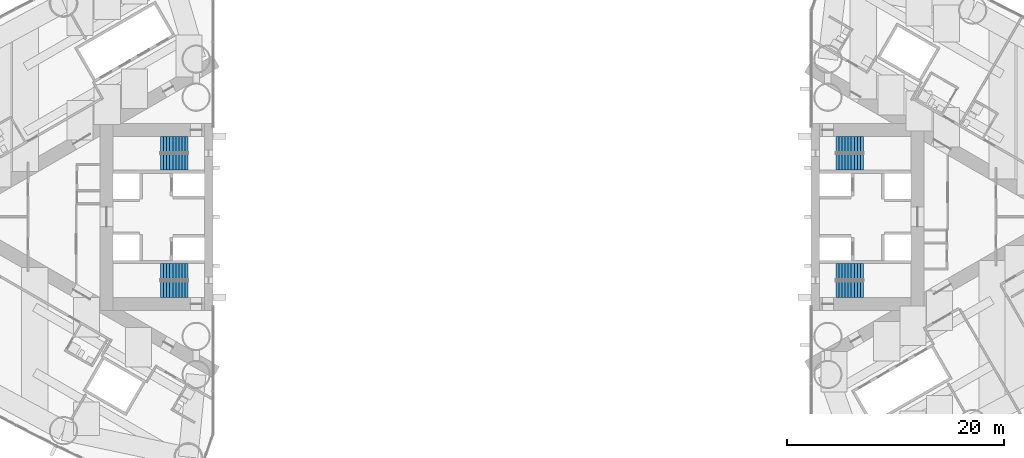
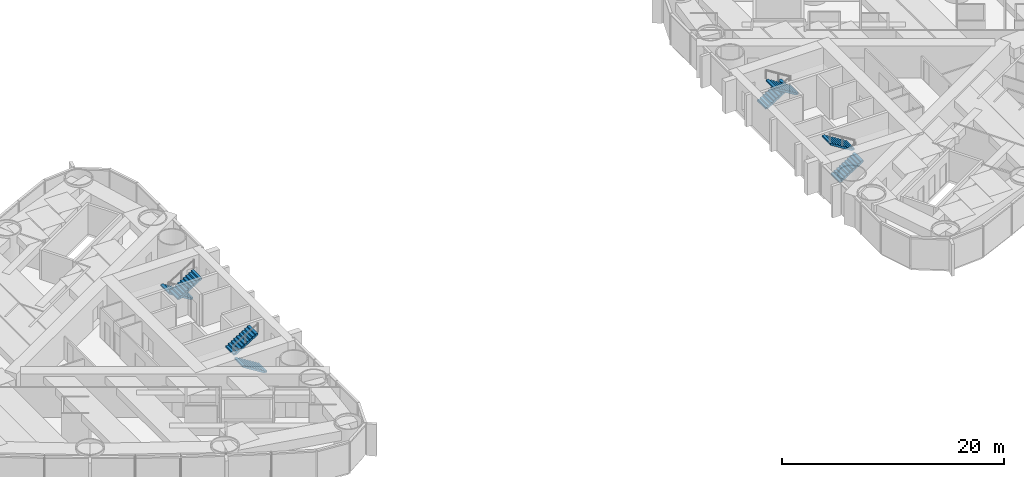
# One storey, part 16 of 18: 8 stair flights, 4 elements without a shape of their own.
"""IFC4 building model written with IfcOpenShell, lengths in metres."""

from ifc_helpers import new_model, si_unit, direction, frame, origin, place, context, subcontext, project, spatial, polyline, outline, extrude, material, type_object, element, aggregate, save


model = new_model("IFC4")

# Units and contexts
model_context = context("Model", 3, precision=1e-05, world=origin(), true_north=direction((0.0, 1.0)))
body_context = subcontext(model_context, "Body", "Model", "MODEL_VIEW")
ifc_project = project(units=[si_unit("LENGTHUNIT", "METRE"), si_unit("AREAUNIT", "SQUARE_METRE"), si_unit("VOLUMEUNIT", "CUBIC_METRE"), si_unit("PLANEANGLEUNIT", "RADIAN"), si_unit("MASSUNIT", "GRAM", prefix="KILO")], contexts=[model_context])

# Site, building, storey
site_placement = place(None, origin())
site = spatial("IfcSite", under=ifc_project, at=site_placement, CompositionType="ELEMENT")
building_placement = place(site_placement, origin())
building = spatial("IfcBuilding", under=site, at=building_placement, Name="Lancet Gate Hotel", CompositionType="ELEMENT")
storey_placement = place(building_placement, frame((0.0, 0.0, 129.10009765625)))
storey = spatial("IfcBuildingStorey", under=building, at=storey_placement, Name="L34", CompositionType="ELEMENT", Elevation=129.10009765625)

# Stair, stair flights
ifc_material_1 = material(Name="Exit stair 20 risers 1500")
stair_type = type_object("IfcStairType", Name="Exit stair 20 risers 1500", PredefinedType="HALF_TURN_STAIR", material=ifc_material_1)
stair_1_placement = place(storey_placement, origin())
stair_1 = element("IfcStair", 1, at=stair_1_placement, inside=storey, type_object=stair_type, Name="T1 stair 1 L34", PredefinedType="HALF_TURN_STAIR")
ifc_material_2 = material(Name="Stair flight 10 risers 175 rise 1500")
stair_flight_type = type_object("IfcStairFlightType", Name="Stair flight 10 risers 175 rise 1500", PredefinedType="STRAIGHT", material=ifc_material_2)
stair_flight_1_placement = place(storey_placement, frame((-29.800048828125, 6.64990234375, 0.0), z_axis=(0.0, 0.0, 1.0), x_axis=(-1.0, 0.0, 0.0)))
stair_flight_1 = element("IfcStairFlight", 2, at=stair_flight_1_placement, type_object=stair_flight_type, Name="ST1 flight 1", NumberOfRisers=10, NumberOfTreads=9, PredefinedType="STRAIGHT", RiserHeight=0.175, TreadLength=0.28, context=body_context, shape_type="SweptSolid", body=[
    extrude(outline(polyline([(0.0, 0.0), (0.0, 0.175048828125), (0.280029296875, 0.175048828125), (0.280029296875, 0.35009765625), (0.56005859375, 0.35009765625), (0.56005859375, 0.52490234375), (0.840087890625, 0.52490234375), (0.840087890625, 0.699951171875), (1.1201171875, 0.699951171875), (1.1201171875, 0.875), (1.39990234375, 0.875), (1.39990234375, 1.050048828125), (1.679931640625, 1.050048828125), (1.679931640625, 1.22509765625), (1.9599609375, 1.22509765625), (1.9599609375, 1.39990234375), (2.239990234375, 1.39990234375), (2.239990234375, 1.574951171875), (2.52001953125, 1.574951171875), (2.52001953125, 1.75), (2.52001953125, 1.398193359375), (0.28271484375, 0.0), (0.0, 0.0)])), frame((0.0, 0.75, 0.0), z_axis=(0.0, -1.0, 0.0), x_axis=(1.0, 0.0, 0.0)), (0.0, 0.0, 1.0), 1.5),
])
stair_flight_2_placement = place(storey_placement, frame((-32.320068359375, 5.050048828125, 1.75), z_axis=(0.0, 0.0, 1.0), x_axis=(1.0, 0.0, 0.0)))
stair_flight_2 = element("IfcStairFlight", 3, at=stair_flight_2_placement, type_object=stair_flight_type, Name="ST1 flight 2", NumberOfRisers=10, NumberOfTreads=9, PredefinedType="STRAIGHT", RiserHeight=0.175, TreadLength=0.28, context=body_context, shape_type="SweptSolid", body=[
    extrude(outline(polyline([(0.0, 0.0), (0.0, 0.175048828125), (0.280029296875, 0.175048828125), (0.280029296875, 0.35009765625), (0.56005859375, 0.35009765625), (0.56005859375, 0.52490234375), (0.840087890625, 0.52490234375), (0.840087890625, 0.699951171875), (1.1201171875, 0.699951171875), (1.1201171875, 0.875), (1.39990234375, 0.875), (1.39990234375, 1.050048828125), (1.679931640625, 1.050048828125), (1.679931640625, 1.22509765625), (1.9599609375, 1.22509765625), (1.9599609375, 1.39990234375), (2.239990234375, 1.39990234375), (2.239990234375, 1.574951171875), (2.52001953125, 1.574951171875), (2.52001953125, 1.75), (2.52001953125, 1.398193359375), (0.28271484375, 0.0), (0.0, 0.0)])), frame((0.0, 0.75, 0.0), z_axis=(0.0, -1.0, 0.0), x_axis=(1.0, 0.0, 0.0)), (0.0, 0.0, 1.0), 1.5),
])
aggregate(stair_1, [stair_flight_1, stair_flight_2])

stair_2_placement = place(storey_placement, origin())
stair_2 = element("IfcStair", 4, at=stair_2_placement, inside=storey, type_object=stair_type, Name="T1 stair 2 L34", PredefinedType="HALF_TURN_STAIR")
stair_flight_3_placement = place(storey_placement, frame((-29.800048828125, -6.64990234375, 0.0), z_axis=(0.0, 0.0, 1.0), x_axis=(-1.0, 0.0, 0.0)))
stair_flight_3 = element("IfcStairFlight", 5, at=stair_flight_3_placement, type_object=stair_flight_type, Name="ST2 flight 1", NumberOfRisers=10, NumberOfTreads=9, PredefinedType="STRAIGHT", RiserHeight=0.175, TreadLength=0.28, context=body_context, shape_type="SweptSolid", body=[
    extrude(outline(polyline([(0.0, 0.0), (0.0, 0.175048828125), (0.280029296875, 0.175048828125), (0.280029296875, 0.35009765625), (0.56005859375, 0.35009765625), (0.56005859375, 0.52490234375), (0.840087890625, 0.52490234375), (0.840087890625, 0.699951171875), (1.1201171875, 0.699951171875), (1.1201171875, 0.875), (1.39990234375, 0.875), (1.39990234375, 1.050048828125), (1.679931640625, 1.050048828125), (1.679931640625, 1.22509765625), (1.9599609375, 1.22509765625), (1.9599609375, 1.39990234375), (2.239990234375, 1.39990234375), (2.239990234375, 1.574951171875), (2.52001953125, 1.574951171875), (2.52001953125, 1.75), (2.52001953125, 1.398193359375), (0.28271484375, 0.0), (0.0, 0.0)])), frame((0.0, 0.75, 0.0), z_axis=(0.0, -1.0, 0.0), x_axis=(1.0, 0.0, 0.0)), (0.0, 0.0, 1.0), 1.5),
])
stair_flight_4_placement = place(storey_placement, frame((-32.320068359375, -5.050048828125, 1.75), z_axis=(0.0, 0.0, 1.0), x_axis=(1.0, 0.0, 0.0)))
stair_flight_4 = element("IfcStairFlight", 6, at=stair_flight_4_placement, type_object=stair_flight_type, Name="ST2 flight 2", NumberOfRisers=10, NumberOfTreads=9, PredefinedType="STRAIGHT", RiserHeight=0.175, TreadLength=0.28, context=body_context, shape_type="SweptSolid", body=[
    extrude(outline(polyline([(0.0, 0.0), (0.0, 0.175048828125), (0.280029296875, 0.175048828125), (0.280029296875, 0.35009765625), (0.56005859375, 0.35009765625), (0.56005859375, 0.52490234375), (0.840087890625, 0.52490234375), (0.840087890625, 0.699951171875), (1.1201171875, 0.699951171875), (1.1201171875, 0.875), (1.39990234375, 0.875), (1.39990234375, 1.050048828125), (1.679931640625, 1.050048828125), (1.679931640625, 1.22509765625), (1.9599609375, 1.22509765625), (1.9599609375, 1.39990234375), (2.239990234375, 1.39990234375), (2.239990234375, 1.574951171875), (2.52001953125, 1.574951171875), (2.52001953125, 1.75), (2.52001953125, 1.398193359375), (0.28271484375, 0.0), (0.0, 0.0)])), frame((0.0, 0.75, 0.0), z_axis=(0.0, -1.0, 0.0), x_axis=(1.0, 0.0, 0.0)), (0.0, 0.0, 1.0), 1.5),
])
aggregate(stair_2, [stair_flight_3, stair_flight_4])

stair_3_placement = place(storey_placement, origin())
stair_3 = element("IfcStair", 7, at=stair_3_placement, inside=storey, type_object=stair_type, Name="T2 stair 1 L34", PredefinedType="HALF_TURN_STAIR")
stair_flight_5_placement = place(storey_placement, frame((29.800048828125, -6.64990234375, 0.0), z_axis=(0.0, 0.0, 1.0), x_axis=(1.0, 0.0, 0.0)))
stair_flight_5 = element("IfcStairFlight", 8, at=stair_flight_5_placement, type_object=stair_flight_type, Name="ST3 flight 1", NumberOfRisers=10, NumberOfTreads=9, PredefinedType="STRAIGHT", RiserHeight=0.175, TreadLength=0.28, context=body_context, shape_type="SweptSolid", body=[
    extrude(outline(polyline([(0.0, 0.0), (0.0, 0.175048828125), (0.280029296875, 0.175048828125), (0.280029296875, 0.35009765625), (0.56005859375, 0.35009765625), (0.56005859375, 0.52490234375), (0.840087890625, 0.52490234375), (0.840087890625, 0.699951171875), (1.1201171875, 0.699951171875), (1.1201171875, 0.875), (1.39990234375, 0.875), (1.39990234375, 1.050048828125), (1.679931640625, 1.050048828125), (1.679931640625, 1.22509765625), (1.9599609375, 1.22509765625), (1.9599609375, 1.39990234375), (2.239990234375, 1.39990234375), (2.239990234375, 1.574951171875), (2.52001953125, 1.574951171875), (2.52001953125, 1.75), (2.52001953125, 1.398193359375), (0.28271484375, 0.0), (0.0, 0.0)])), frame((0.0, 0.75, 0.0), z_axis=(0.0, -1.0, 0.0), x_axis=(1.0, 0.0, 0.0)), (0.0, 0.0, 1.0), 1.5),
])
stair_flight_6_placement = place(storey_placement, frame((32.320068359375, -5.050048828125, 1.75), z_axis=(0.0, 0.0, 1.0), x_axis=(-1.0, 0.0, 0.0)))
stair_flight_6 = element("IfcStairFlight", 9, at=stair_flight_6_placement, type_object=stair_flight_type, Name="ST3 flight 2", NumberOfRisers=10, NumberOfTreads=9, PredefinedType="STRAIGHT", RiserHeight=0.175, TreadLength=0.28, context=body_context, shape_type="SweptSolid", body=[
    extrude(outline(polyline([(0.0, 0.0), (0.0, 0.175048828125), (0.280029296875, 0.175048828125), (0.280029296875, 0.35009765625), (0.56005859375, 0.35009765625), (0.56005859375, 0.52490234375), (0.840087890625, 0.52490234375), (0.840087890625, 0.699951171875), (1.1201171875, 0.699951171875), (1.1201171875, 0.875), (1.39990234375, 0.875), (1.39990234375, 1.050048828125), (1.679931640625, 1.050048828125), (1.679931640625, 1.22509765625), (1.9599609375, 1.22509765625), (1.9599609375, 1.39990234375), (2.239990234375, 1.39990234375), (2.239990234375, 1.574951171875), (2.52001953125, 1.574951171875), (2.52001953125, 1.75), (2.52001953125, 1.398193359375), (0.28271484375, 0.0), (0.0, 0.0)])), frame((0.0, 0.75, 0.0), z_axis=(0.0, -1.0, 0.0), x_axis=(1.0, 0.0, 0.0)), (0.0, 0.0, 1.0), 1.5),
])
aggregate(stair_3, [stair_flight_5, stair_flight_6])

stair_4_placement = place(storey_placement, origin())
stair_4 = element("IfcStair", 10, at=stair_4_placement, inside=storey, type_object=stair_type, Name="T2 stair 2 L34", PredefinedType="HALF_TURN_STAIR")
stair_flight_7_placement = place(storey_placement, frame((29.800048828125, 6.64990234375, 0.0), z_axis=(0.0, 0.0, 1.0), x_axis=(1.0, 0.0, 0.0)))
stair_flight_7 = element("IfcStairFlight", 11, at=stair_flight_7_placement, type_object=stair_flight_type, Name="ST4 flight 1", NumberOfRisers=10, NumberOfTreads=9, PredefinedType="STRAIGHT", RiserHeight=0.175, TreadLength=0.28, context=body_context, shape_type="SweptSolid", body=[
    extrude(outline(polyline([(0.0, 0.0), (0.0, 0.175048828125), (0.280029296875, 0.175048828125), (0.280029296875, 0.35009765625), (0.56005859375, 0.35009765625), (0.56005859375, 0.52490234375), (0.840087890625, 0.52490234375), (0.840087890625, 0.699951171875), (1.1201171875, 0.699951171875), (1.1201171875, 0.875), (1.39990234375, 0.875), (1.39990234375, 1.050048828125), (1.679931640625, 1.050048828125), (1.679931640625, 1.22509765625), (1.9599609375, 1.22509765625), (1.9599609375, 1.39990234375), (2.239990234375, 1.39990234375), (2.239990234375, 1.574951171875), (2.52001953125, 1.574951171875), (2.52001953125, 1.75), (2.52001953125, 1.398193359375), (0.28271484375, 0.0), (0.0, 0.0)])), frame((0.0, 0.75, 0.0), z_axis=(0.0, -1.0, 0.0), x_axis=(1.0, 0.0, 0.0)), (0.0, 0.0, 1.0), 1.5),
])
stair_flight_8_placement = place(storey_placement, frame((32.320068359375, 5.050048828125, 1.75), z_axis=(0.0, 0.0, 1.0), x_axis=(-1.0, 0.0, 0.0)))
stair_flight_8 = element("IfcStairFlight", 12, at=stair_flight_8_placement, type_object=stair_flight_type, Name="ST4 flight 2", NumberOfRisers=10, NumberOfTreads=9, PredefinedType="STRAIGHT", RiserHeight=0.175, TreadLength=0.28, context=body_context, shape_type="SweptSolid", body=[
    extrude(outline(polyline([(0.0, 0.0), (0.0, 0.175048828125), (0.280029296875, 0.175048828125), (0.280029296875, 0.35009765625), (0.56005859375, 0.35009765625), (0.56005859375, 0.52490234375), (0.840087890625, 0.52490234375), (0.840087890625, 0.699951171875), (1.1201171875, 0.699951171875), (1.1201171875, 0.875), (1.39990234375, 0.875), (1.39990234375, 1.050048828125), (1.679931640625, 1.050048828125), (1.679931640625, 1.22509765625), (1.9599609375, 1.22509765625), (1.9599609375, 1.39990234375), (2.239990234375, 1.39990234375), (2.239990234375, 1.574951171875), (2.52001953125, 1.574951171875), (2.52001953125, 1.75), (2.52001953125, 1.398193359375), (0.28271484375, 0.0), (0.0, 0.0)])), frame((0.0, 0.75, 0.0), z_axis=(0.0, -1.0, 0.0), x_axis=(1.0, 0.0, 0.0)), (0.0, 0.0, 1.0), 1.5),
])
aggregate(stair_4, [stair_flight_7, stair_flight_8])

save(model, "model.ifc")
